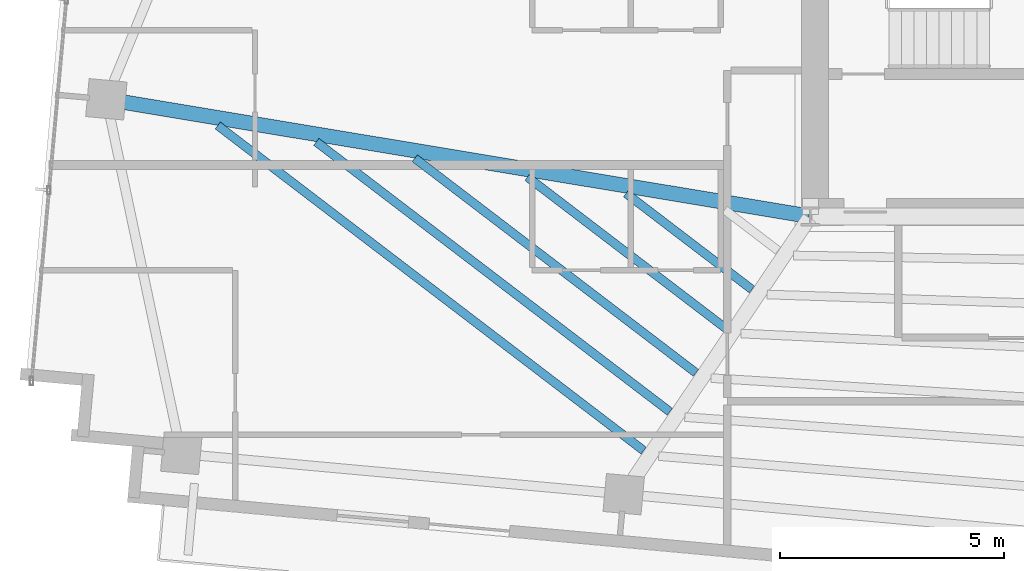
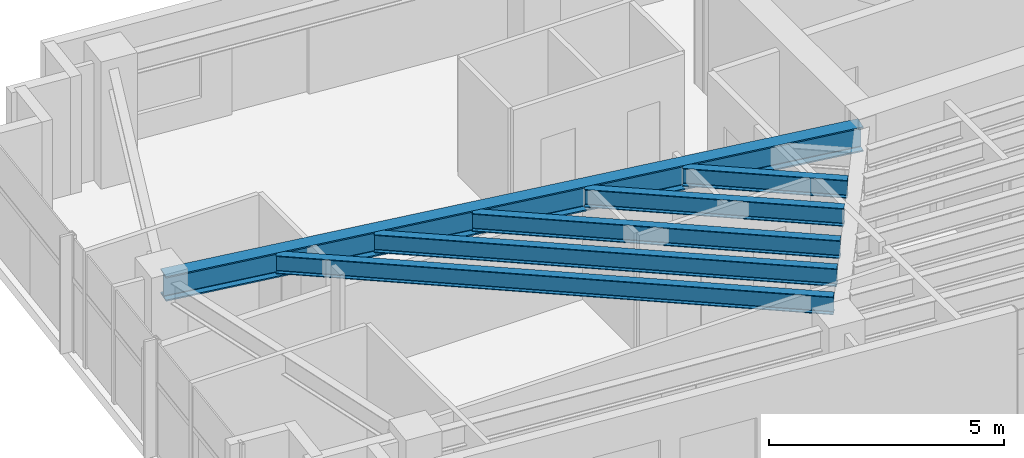
# One storey, part 5 of 22: 6 beams.
"""IFC4 building model written with IfcOpenShell, lengths in metres."""

from ifc_helpers import new_model, si_unit, direction, frame, origin, origin_2d, place, context, subcontext, project, spatial, i_section, extrude, source, transform, mapped, material, material_profile, profile_set, type_object, type_shapes, element, save


model = new_model("IFC4")

# Units and contexts
model_context = context("Model", 3, precision=1e-05, world=origin(), true_north=direction((0.0, 1.0)))
body_context = subcontext(model_context, "Body", "Model", "MODEL_VIEW")
ifc_project = project(units=[si_unit("LENGTHUNIT", "METRE"), si_unit("AREAUNIT", "SQUARE_METRE"), si_unit("VOLUMEUNIT", "CUBIC_METRE"), si_unit("PLANEANGLEUNIT", "RADIAN"), si_unit("MASSUNIT", "GRAM", prefix="KILO")], contexts=[model_context])

# Site, building, storey
site_placement = place(None, origin())
site = spatial("IfcSite", under=ifc_project, at=site_placement, CompositionType="ELEMENT")
building_placement = place(site_placement, origin())
building = spatial("IfcBuilding", under=site, at=building_placement, Name="Astriad Promenade Condominiums", CompositionType="ELEMENT")
storey_placement = place(building_placement, frame((0.0, 0.0, 246.300048828125)))
storey = spatial("IfcBuildingStorey", under=building, at=storey_placement, Name="L71", CompositionType="ELEMENT", Elevation=246.300048828125)

# Beams
ifc_material = material(Name="Steel ASTM A992 Grade 50", Category="steel")
ifc_material_profile_1 = material_profile(ifc_material, i_section(OverallWidth=0.327392578125, OverallDepth=0.640625, WebThickness=0.01904296875, FlangeThickness=0.033935546875, FilletRadius=0.017822265625, at=origin_2d()), Name="W24X176")
ifc_profile_set_1 = profile_set([ifc_material_profile_1], Name="Steel ASTM A992 Grade 50")
beam_type_1 = type_object("IfcBeamType", Name="STEEL FLOOR GIRDER W24X176", PredefinedType="BEAM", material=ifc_profile_set_1)
shared_shape_1 = source(origin(), body_context, "Body", "SweptSolid", [
    extrude(i_section(OverallWidth=0.327392578125, OverallDepth=0.640625, WebThickness=0.01904296875, FlangeThickness=0.033935546875, FilletRadius=0.017822265625, at=origin_2d()), origin(), (0.0, 0.0, 1.0), 15.824462890625),
])
type_shapes(beam_type_1, [shared_shape_1])
beam_1_placement = place(storey_placement, frame((10.750732421875, 20.003662109375, 2.7197265625), z_axis=(0.986439752668, -0.164123777548, 0.0), x_axis=(0.164123777548, 0.986439752668, 0.0)))
element("IfcBeam", 1, at=beam_1_placement, inside=storey, type_object=beam_type_1, Name="Primary Floor Girder PG-WM-L71", PredefinedType="BEAM", context=body_context, shape_type="MappedRepresentation", body=[
    mapped(shared_shape_1, transform((0.0, 0.0, 0.0), scale=1.0)),
])
ifc_material_profile_2 = material_profile(ifc_material, i_section(OverallWidth=0.19287109375, OverallDepth=0.466064453125, WebThickness=0.011474609375, FlangeThickness=0.01904296875, FilletRadius=0.01513671875, at=origin_2d()), Name="W18X65")
ifc_profile_set_2 = profile_set([ifc_material_profile_2], Name="Steel ASTM A992 Grade 50")
beam_type_2 = type_object("IfcBeamType", Name="STEEL FLOOR JOIST W18X65", PredefinedType="JOIST", material=ifc_profile_set_2)
shared_shape_2 = source(origin(), body_context, "Body", "SweptSolid", [
    extrude(i_section(OverallWidth=0.19287109375, OverallDepth=0.466064453125, WebThickness=0.011474609375, FlangeThickness=0.01904296875, FilletRadius=0.01513671875, at=origin_2d()), origin(), (0.0, 0.0, 1.0), 11.941162109375),
])
beam_2_placement = place(storey_placement, frame((13.193603515625, 19.426513671875, 2.806884765625), z_axis=(0.794872876153, -0.606775997182, 0.0), x_axis=(0.606775997182, 0.794872876153, 0.0)))
element("IfcBeam", 2, at=beam_2_placement, inside=storey, type_object=beam_type_2, Name="Secondary Composite Floor Joist JW1-1-L71", PredefinedType="JOIST", context=body_context, shape_type="MappedRepresentation", body=[
    mapped(shared_shape_2, transform((0.0, 0.0, 0.0), scale=1.0)),
])
shared_shape_3 = source(origin(), body_context, "Body", "SweptSolid", [
    extrude(i_section(OverallWidth=0.19287109375, OverallDepth=0.466064453125, WebThickness=0.011474609375, FlangeThickness=0.01904296875, FilletRadius=0.01513671875, at=origin_2d()), origin(), (0.0, 0.0, 1.0), 9.91015625),
])
beam_3_placement = place(storey_placement, frame((15.39013671875, 19.06103515625, 2.806884765625), z_axis=(0.794880580107, -0.606765904916, 0.0), x_axis=(0.606765904916, 0.794880580107, 0.0)))
element("IfcBeam", 3, at=beam_3_placement, inside=storey, type_object=beam_type_2, Name="Secondary Composite Floor Joist JW1-2-L71", PredefinedType="JOIST", context=body_context, shape_type="MappedRepresentation", body=[
    mapped(shared_shape_3, transform((0.0, 0.0, 0.0), scale=1.0)),
])
shared_shape_4 = source(origin(), body_context, "Body", "SweptSolid", [
    extrude(i_section(OverallWidth=0.19287109375, OverallDepth=0.466064453125, WebThickness=0.011474609375, FlangeThickness=0.01904296875, FilletRadius=0.01513671875, at=origin_2d()), origin(), (0.0, 0.0, 1.0), 7.8798828125),
])
beam_4_placement = place(storey_placement, frame((17.58642578125, 18.69580078125, 2.806884765625), z_axis=(0.794873774806, -0.60677481995, 0.0), x_axis=(0.60677481995, 0.794873774806, 0.0)))
element("IfcBeam", 4, at=beam_4_placement, inside=storey, type_object=beam_type_2, Name="Secondary Composite Floor Joist JW1-3-L71", PredefinedType="JOIST", context=body_context, shape_type="MappedRepresentation", body=[
    mapped(shared_shape_4, transform((0.0, 0.0, 0.0), scale=1.0)),
])
shared_shape_5 = source(origin(), body_context, "Body", "SweptSolid", [
    extrude(i_section(OverallWidth=0.19287109375, OverallDepth=0.466064453125, WebThickness=0.011474609375, FlangeThickness=0.01904296875, FilletRadius=0.01513671875, at=origin_2d()), origin(), (0.0, 0.0, 1.0), 5.55908203125),
])
beam_5_placement = place(storey_placement, frame((20.0966796875, 18.278076171875, 2.806884765625), z_axis=(0.794874877878, -0.606773374925, 0.0), x_axis=(0.606773374925, 0.794874877878, 0.0)))
element("IfcBeam", 5, at=beam_5_placement, inside=storey, type_object=beam_type_2, Name="Secondary Composite Floor Joist JW1-4-L71", PredefinedType="JOIST", context=body_context, shape_type="MappedRepresentation", body=[
    mapped(shared_shape_5, transform((0.0, 0.0, 0.0), scale=1.0)),
])
shared_shape_6 = source(origin(), body_context, "Body", "SweptSolid", [
    extrude(i_section(OverallWidth=0.19287109375, OverallDepth=0.466064453125, WebThickness=0.011474609375, FlangeThickness=0.01904296875, FilletRadius=0.01513671875, at=origin_2d()), origin(), (0.0, 0.0, 1.0), 3.5283203125),
])
type_shapes(beam_type_2, [shared_shape_2, shared_shape_3, shared_shape_4, shared_shape_5, shared_shape_6])
beam_6_placement = place(storey_placement, frame((22.293212890625, 17.91259765625, 2.806884765625), z_axis=(0.794864295135, -0.606787238099, 0.0), x_axis=(0.606787238099, 0.794864295135, 0.0)))
element("IfcBeam", 6, at=beam_6_placement, inside=storey, type_object=beam_type_2, Name="Secondary Composite Floor Joist JW1-5-L71", PredefinedType="JOIST", context=body_context, shape_type="MappedRepresentation", body=[
    mapped(shared_shape_6, transform((0.0, 0.0, 0.0), scale=1.0)),
])

save(model, "model.ifc")
